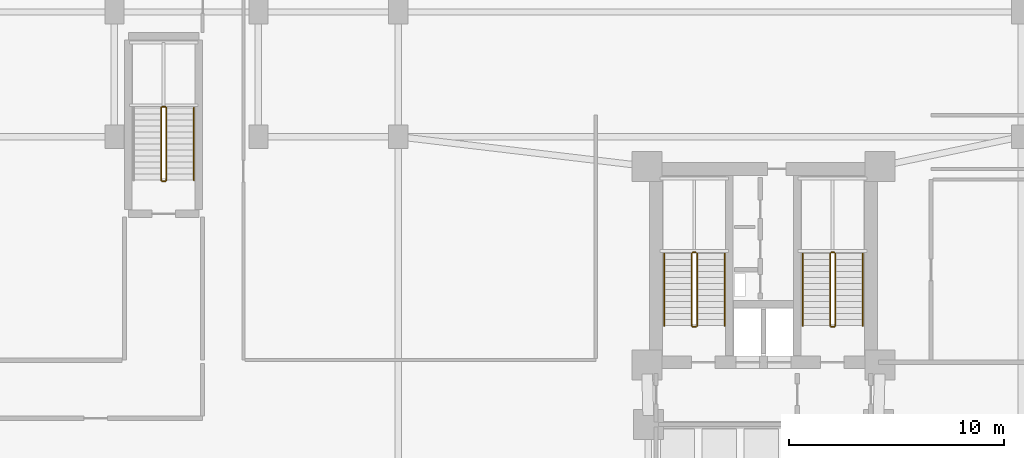
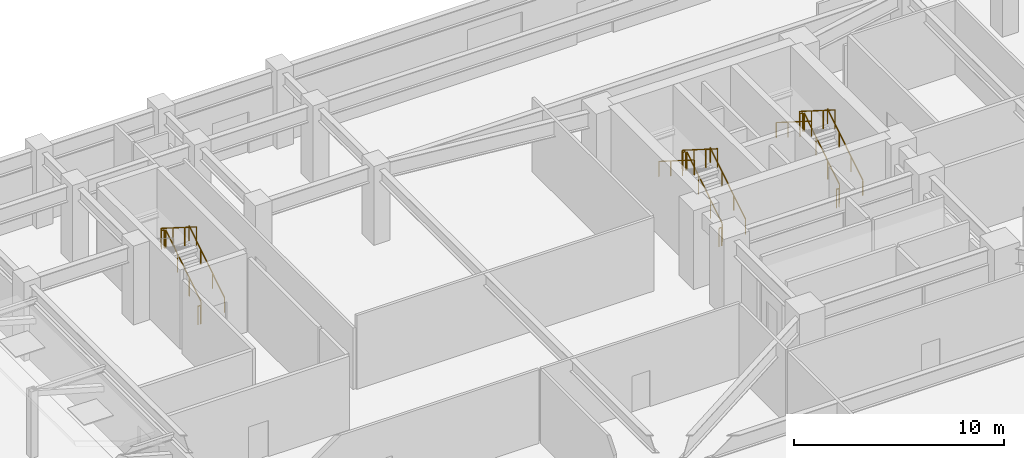
# One storey, part 21 of 23: 17 railings.
"""IFC4 building model written with IfcOpenShell, lengths in metres."""

import ifcopenshell
import ifcopenshell.guid

model = None  # the IFC model being written
_history = None  # IfcOwnerHistory: only IFC2X3 demands one
_inside = {}  # id of a spatial element -> (the spatial element, [elements in it])
_under = {}  # id of a project, library or spatial element -> (it, [spatial elements below it])
_declared = {}  # id of a project -> (the project, [libraries it declares])
_typed = {}  # id of a type object -> (the type object, [elements of that type])
_made_of = {}  # id of a material, layer set ... -> (it, [elements and type objects made of it])


def new_model(schema):
    """Start an empty IFC model of exactly this schema.

    Asked for "IFC4X3", IfcOpenShell would pick the latest addendum, in which some entities
    have other attributes; the version numbers below select the first issue.
    IFC2X3 requires an IfcOwnerHistory on every rooted entity: one is made here for all.
    """
    global model, _history
    if schema == "IFC4X3":
        model = ifcopenshell.file(schema_version=(4, 3, 0, 0))
    else:
        model = ifcopenshell.file(schema=schema)
    _inside.clear()
    _under.clear()
    _declared.clear()
    _typed.clear()
    _made_of.clear()
    _history = None
    if model.schema == "IFC2X3":
        org = make("IfcOrganization", Name="unknown")
        user = make(
            "IfcPersonAndOrganization",
            ThePerson=make("IfcPerson", FamilyName="unknown"),
            TheOrganization=org,
        )
        app = make(
            "IfcApplication",
            ApplicationDeveloper=org,
            Version="unknown",
            ApplicationFullName="unknown",
            ApplicationIdentifier="unknown",
        )
        _history = make(
            "IfcOwnerHistory",
            OwningUser=user,
            OwningApplication=app,
            ChangeAction="ADDED",
            CreationDate=0,
        )
    return model


def make(cls, **values):
    """One entity of the class cls with the attributes given. An attribute that is None is left unset."""
    return model.create_entity(
        cls, **{name: value for name, value in values.items() if value is not None}
    )


def rooted(cls, **values):
    """An entity with a GlobalId (a new one), such as an element, a storey or a relation."""
    return make(cls, GlobalId=ifcopenshell.guid.new(), OwnerHistory=_history, **values)


def si_unit(unit_type, name, prefix=None):
    """IfcSIUnit, for example si_unit("LENGTHUNIT", "METRE", prefix="MILLI")."""
    return make("IfcSIUnit", UnitType=unit_type, Prefix=prefix, Name=name)


def assignment(units):
    """IfcUnitAssignment: the units of a project."""
    return None if units is None else make("IfcUnitAssignment", Units=units)


def point(xyz):
    """IfcCartesianPoint."""
    return None if xyz is None else make("IfcCartesianPoint", Coordinates=xyz)


def direction(xyz):
    """IfcDirection."""
    return None if xyz is None else make("IfcDirection", DirectionRatios=xyz)


def frame(location, z_axis=None, x_axis=None):
    """IfcAxis2Placement3D, a coordinate frame: its origin and axes. An axis left out is left unset."""
    return make(
        "IfcAxis2Placement3D",
        Location=point(location),
        Axis=direction(z_axis),
        RefDirection=direction(x_axis),
    )


def frame_2d(location, x_axis=None):
    """IfcAxis2Placement2D, a coordinate frame in the plane: its origin and x axis."""
    return make(
        "IfcAxis2Placement2D", Location=point(location), RefDirection=direction(x_axis)
    )


def origin():
    """The frame at (0, 0, 0) with its axes left unset."""
    return frame((0.0, 0.0, 0.0))


def origin_2d():
    """The frame at (0, 0) in the plane with its x axis left unset."""
    return frame_2d((0.0, 0.0))


def place(relative_to, where):
    """IfcLocalPlacement: puts the frame where relative to a parent placement (None: the world)."""
    return make(
        "IfcLocalPlacement", PlacementRelTo=relative_to, RelativePlacement=where
    )


def context(
    kind, dimensions, precision=None, world=None, true_north=None, identifier=None
):
    """IfcGeometricRepresentationContext, for example the 3D "Model" context."""
    return make(
        "IfcGeometricRepresentationContext",
        ContextIdentifier=identifier,
        ContextType=kind,
        CoordinateSpaceDimension=dimensions,
        Precision=precision,
        WorldCoordinateSystem=world,
        TrueNorth=true_north,
    )


def subcontext(parent, identifier, kind, view, scale=None):
    """IfcGeometricRepresentationSubContext, for example "Body" below "Model"."""
    return make(
        "IfcGeometricRepresentationSubContext",
        ContextIdentifier=identifier,
        ContextType=kind,
        ParentContext=parent,
        TargetScale=scale,
        TargetView=view,
    )


def project(units=None, contexts=None):
    """IfcProject with its units and contexts."""
    return rooted(
        "IfcProject",
        Name="project",
        RepresentationContexts=contexts,
        UnitsInContext=assignment(units),
    )


def spatial(cls, under=None, at=None, **own):
    """A site, building, storey or space (cls), placed at a placement, below another one or the project."""
    s = rooted(cls, ObjectPlacement=at, **own)
    if under is not None:
        _under.setdefault(under.id(), (under, []))[1].append(s)
    return s


def profile(cls, at=None, kind="AREA", **sizes):
    """A parametric profile (cls). Its sizes go by their IFC names, for example OverallWidth=200.0."""
    return make(cls, ProfileType=kind, Position=at, **sizes)


def rectangle(**sizes):
    """IfcRectangleProfileDef."""
    return profile("IfcRectangleProfileDef", **sizes)


def extrude(swept, where, along, depth):
    """IfcExtrudedAreaSolid: the profile swept, set in the frame where, extruded along a direction by depth."""
    return make(
        "IfcExtrudedAreaSolid",
        SweptArea=swept,
        Position=where,
        ExtrudedDirection=direction(along),
        Depth=depth,
    )


def shape(context_of_items, identifier, shape_type, items):
    """IfcShapeRepresentation: the items that make up one representation, for example the "Body"."""
    return make(
        "IfcShapeRepresentation",
        ContextOfItems=context_of_items,
        RepresentationIdentifier=identifier,
        RepresentationType=shape_type,
        Items=items,
    )


def material(Name=None, Category=None):
    """IfcMaterial."""
    return make("IfcMaterial", Name=Name, Category=Category)


def made_of(thing, what):
    """Note that an element or type object is made of a material, layer set ...; save() writes the relation."""
    if what is not None:
        _made_of.setdefault(what.id(), (what, []))[1].append(thing)
    return thing


def type_object(cls, material=None, **own):
    """A type object (cls), such as IfcWallType, which elements share."""
    return made_of(rooted(cls, **own), material)


def element(
    cls,
    number,
    at=None,
    inside=None,
    cuts=None,
    type_object=None,
    material=None,
    context=None,
    identifier="Body",
    shape_type=None,
    held_by="IfcProductDefinitionShape",
    body=None,
    shapes=None,
    **own,
):
    """One element of the class cls, such as IfcWall. Its Tag is "e" and its number.

    at: its placement. inside: the storey or other place that contains it. cuts: it is an
    opening in that element (IfcRelVoidsElement). A single representation is given by context,
    identifier, shape_type and body (its items); several are given by shapes. held_by: the class
    of the entity that holds the representations. save() writes the other relations.
    """
    e = rooted(cls, Tag="e%d" % number, ObjectPlacement=at, **own)
    if body is not None:
        shapes = [shape(context, identifier, shape_type, body)]
    if shapes is not None:
        e.Representation = make(held_by, Representations=shapes)
    if inside is not None:
        _inside.setdefault(inside.id(), (inside, []))[1].append(e)
    if cuts is not None:
        rooted(
            "IfcRelVoidsElement", RelatingBuildingElement=cuts, RelatedOpeningElement=e
        )
    if type_object is not None:
        _typed.setdefault(type_object.id(), (type_object, []))[1].append(e)
    return made_of(e, material)


def aggregate(whole, parts):
    """IfcRelAggregates: a whole, such as a stair, and the parts it consists of."""
    return rooted("IfcRelAggregates", RelatingObject=whole, RelatedObjects=parts)


def save(model, path):
    """Write the relations noted so far, then the file.

    IfcRelAggregates (storeys below a building ...), IfcRelContainedInSpatialStructure (elements
    in a storey), IfcRelDefinesByType, IfcRelAssociatesMaterial and IfcRelDeclares: one each for
    every whole, place, type object, material and project.
    """
    for whole, parts in _under.values():
        aggregate(whole, parts)
    for where, things in _inside.values():
        rooted(
            "IfcRelContainedInSpatialStructure",
            RelatedElements=things,
            RelatingStructure=where,
        )
    for kind, things in _typed.values():
        rooted("IfcRelDefinesByType", RelatedObjects=things, RelatingType=kind)
    for what, things in _made_of.values():
        rooted("IfcRelAssociatesMaterial", RelatedObjects=things, RelatingMaterial=what)
    for by, libraries in _declared.values():
        rooted("IfcRelDeclares", RelatingContext=by, RelatedDefinitions=libraries)
    model.write(path)


model = new_model("IFC4")

# Units and contexts
model_context = context("Model", 3, precision=1e-05, world=origin(), true_north=direction((0.0, 1.0)))
body_context = subcontext(model_context, "Body", "Model", "MODEL_VIEW")
ifc_project = project(units=[si_unit("LENGTHUNIT", "METRE"), si_unit("AREAUNIT", "SQUARE_METRE"), si_unit("VOLUMEUNIT", "CUBIC_METRE"), si_unit("PLANEANGLEUNIT", "RADIAN"), si_unit("MASSUNIT", "GRAM", prefix="KILO")], contexts=[model_context])

# Site, building, storey
site_placement = place(None, origin())
site = spatial("IfcSite", under=ifc_project, at=site_placement, CompositionType="ELEMENT")
building_placement = place(site_placement, origin())
building = spatial("IfcBuilding", under=site, at=building_placement, Name="Varnakorn Sky Granary", CompositionType="ELEMENT")
storey_placement = place(building_placement, origin())
storey = spatial("IfcBuildingStorey", under=building, at=storey_placement, Name="L00", CompositionType="ELEMENT", Elevation=0.0)

# Railings
ifc_material = material(Name="Brushed Stainless Steel 316", Category="steel")
railing_type_1 = type_object("IfcRailingType", Name="RL-STAIR-1100", PredefinedType="GUARDRAIL", material=ifc_material)
railing_1_placement = place(storey_placement, frame((-0.090087890625, 5.199951171875, 0.177001953125)))
element("IfcRailing", 1, at=railing_1_placement, inside=storey, type_object=railing_type_1, Name="L00 ST-1 stair guard 1", PredefinedType="GUARDRAIL", context=body_context, shape_type="SweptSolid", body=[
    extrude(rectangle(XDim=0.048095703125, YDim=0.048095703125, at=origin_2d()), frame((0.0, 0.0, 1.076171875), z_axis=(0.0, 0.845389635667, 0.534150132366), x_axis=(-1.0, 0.0, 0.0)), (0.0, 0.0, 1.0), 3.974609375),
    extrude(rectangle(XDim=0.0419921875, YDim=0.0419921875, at=origin_2d()), origin(), (0.0, 0.0, 1.0), 1.048095703125),
    extrude(rectangle(XDim=0.0419921875, YDim=0.0419921875, at=origin_2d()), frame((0.0, 1.1201171875, 0.707763671875)), (0.0, 0.0, 1.0), 1.048095703125),
    extrude(rectangle(XDim=0.0419921875, YDim=0.0419921875, at=origin_2d()), frame((0.0, 2.239990234375, 1.415283203125)), (0.0, 0.0, 1.0), 1.048095703125),
    extrude(rectangle(XDim=0.0419921875, YDim=0.0419921875, at=origin_2d()), frame((0.0, 3.360107421875, 2.123046875)), (0.0, 0.0, 1.0), 1.048095703125),
])
railing_2_placement = place(storey_placement, frame((-0.139892578125, 8.610107421875, 2.300048828125)))
element("IfcRailing", 2, at=railing_2_placement, inside=storey, type_object=railing_type_1, Name="L00 ST-1 stair guard 2", PredefinedType="GUARDRAIL", context=body_context, shape_type="SweptSolid", body=[
    extrude(rectangle(XDim=0.048095703125, YDim=0.048095703125, at=origin_2d()), frame((0.0, 0.0, 1.076171875), z_axis=(-1.0, 0.0, 0.0), x_axis=(0.0, -1.0, 0.0)), (0.0, 0.0, 1.0), 0.150146484375),
    extrude(rectangle(XDim=0.0419921875, YDim=0.0419921875, at=origin_2d()), origin(), (0.0, 0.0, 1.0), 1.048095703125),
    extrude(rectangle(XDim=0.0419921875, YDim=0.0419921875, at=origin_2d()), frame((-0.150146484375, 0.0, 0.0)), (0.0, 0.0, 1.0), 1.048095703125),
])
railing_3_placement = place(storey_placement, frame((-0.340087890625, 8.56005859375, 2.476806640625)))
element("IfcRailing", 3, at=railing_3_placement, inside=storey, type_object=railing_type_1, Name="L00 ST-1 stair guard 3", PredefinedType="GUARDRAIL", context=body_context, shape_type="SweptSolid", body=[
    extrude(rectangle(XDim=0.048095703125, YDim=0.048095703125, at=origin_2d()), frame((0.0, 0.0, 1.076171875), z_axis=(0.0, -0.845361898145, 0.534194029511), x_axis=(1.0, 0.0, 0.0)), (0.0, 0.0, 1.0), 3.974853515625),
    extrude(rectangle(XDim=0.0419921875, YDim=0.0419921875, at=origin_2d()), origin(), (0.0, 0.0, 1.0), 1.048095703125),
    extrude(rectangle(XDim=0.0419921875, YDim=0.0419921875, at=origin_2d()), frame((0.0, -1.1201171875, 0.707763671875)), (0.0, 0.0, 1.0), 1.048095703125),
    extrude(rectangle(XDim=0.0419921875, YDim=0.0419921875, at=origin_2d()), frame((0.0, -2.239990234375, 1.41552734375)), (0.0, 0.0, 1.0), 1.048095703125),
    extrude(rectangle(XDim=0.0419921875, YDim=0.0419921875, at=origin_2d()), frame((0.0, -3.360107421875, 2.123291015625)), (0.0, 0.0, 1.0), 1.048095703125),
])
railing_4_placement = place(storey_placement, frame((-0.139892578125, 5.14990234375, 0.0)))
element("IfcRailing", 4, at=railing_4_placement, inside=storey, type_object=railing_type_1, Name="L00 ST-1 stair guard 4", PredefinedType="GUARDRAIL", context=body_context, shape_type="SweptSolid", body=[
    extrude(rectangle(XDim=0.048095703125, YDim=0.048095703125, at=origin_2d()), frame((0.0, 0.0, 1.076171875), z_axis=(-1.0, 0.0, 0.0), x_axis=(0.0, -1.0, 0.0)), (0.0, 0.0, 1.0), 0.150146484375),
    extrude(rectangle(XDim=0.0419921875, YDim=0.0419921875, at=origin_2d()), origin(), (0.0, 0.0, 1.0), 1.048095703125),
    extrude(rectangle(XDim=0.0419921875, YDim=0.0419921875, at=origin_2d()), frame((-0.150146484375, 0.0, 0.0)), (0.0, 0.0, 1.0), 1.048095703125),
])
railing_5_placement = place(storey_placement, frame((6.35009765625, 5.199951171875, 0.177001953125)))
element("IfcRailing", 5, at=railing_5_placement, inside=storey, type_object=railing_type_1, Name="L00 ST-2 stair guard 1", PredefinedType="GUARDRAIL", context=body_context, shape_type="SweptSolid", body=[
    extrude(rectangle(XDim=0.048095703125, YDim=0.048095703125, at=origin_2d()), frame((0.0, 0.0, 1.076171875), z_axis=(0.0, 0.845389635667, 0.534150132366), x_axis=(-1.0, 0.0, 0.0)), (0.0, 0.0, 1.0), 3.974609375),
    extrude(rectangle(XDim=0.0419921875, YDim=0.0419921875, at=origin_2d()), origin(), (0.0, 0.0, 1.0), 1.048095703125),
    extrude(rectangle(XDim=0.0419921875, YDim=0.0419921875, at=origin_2d()), frame((0.0, 1.1201171875, 0.707763671875)), (0.0, 0.0, 1.0), 1.048095703125),
    extrude(rectangle(XDim=0.0419921875, YDim=0.0419921875, at=origin_2d()), frame((0.0, 2.239990234375, 1.415283203125)), (0.0, 0.0, 1.0), 1.048095703125),
    extrude(rectangle(XDim=0.0419921875, YDim=0.0419921875, at=origin_2d()), frame((0.0, 3.360107421875, 2.123046875)), (0.0, 0.0, 1.0), 1.048095703125),
])
railing_6_placement = place(storey_placement, frame((6.300048828125, 8.610107421875, 2.300048828125)))
element("IfcRailing", 6, at=railing_6_placement, inside=storey, type_object=railing_type_1, Name="L00 ST-2 stair guard 2", PredefinedType="GUARDRAIL", context=body_context, shape_type="SweptSolid", body=[
    extrude(rectangle(XDim=0.048095703125, YDim=0.048095703125, at=origin_2d()), frame((0.0, 0.0, 1.076171875), z_axis=(-1.0, 0.0, 0.0), x_axis=(0.0, -1.0, 0.0)), (0.0, 0.0, 1.0), 0.150146484375),
    extrude(rectangle(XDim=0.0419921875, YDim=0.0419921875, at=origin_2d()), origin(), (0.0, 0.0, 1.0), 1.048095703125),
    extrude(rectangle(XDim=0.0419921875, YDim=0.0419921875, at=origin_2d()), frame((-0.150146484375, 0.0, 0.0)), (0.0, 0.0, 1.0), 1.048095703125),
])
railing_7_placement = place(storey_placement, frame((6.10009765625, 8.56005859375, 2.476806640625)))
element("IfcRailing", 7, at=railing_7_placement, inside=storey, type_object=railing_type_1, Name="L00 ST-2 stair guard 3", PredefinedType="GUARDRAIL", context=body_context, shape_type="SweptSolid", body=[
    extrude(rectangle(XDim=0.048095703125, YDim=0.048095703125, at=origin_2d()), frame((0.0, 0.0, 1.076171875), z_axis=(0.0, -0.845361898145, 0.534194029511), x_axis=(1.0, 0.0, 0.0)), (0.0, 0.0, 1.0), 3.974853515625),
    extrude(rectangle(XDim=0.0419921875, YDim=0.0419921875, at=origin_2d()), origin(), (0.0, 0.0, 1.0), 1.048095703125),
    extrude(rectangle(XDim=0.0419921875, YDim=0.0419921875, at=origin_2d()), frame((0.0, -1.1201171875, 0.707763671875)), (0.0, 0.0, 1.0), 1.048095703125),
    extrude(rectangle(XDim=0.0419921875, YDim=0.0419921875, at=origin_2d()), frame((0.0, -2.239990234375, 1.41552734375)), (0.0, 0.0, 1.0), 1.048095703125),
    extrude(rectangle(XDim=0.0419921875, YDim=0.0419921875, at=origin_2d()), frame((0.0, -3.360107421875, 2.123291015625)), (0.0, 0.0, 1.0), 1.048095703125),
])
railing_8_placement = place(storey_placement, frame((6.300048828125, 5.14990234375, 0.0)))
element("IfcRailing", 8, at=railing_8_placement, inside=storey, type_object=railing_type_1, Name="L00 ST-2 stair guard 4", PredefinedType="GUARDRAIL", context=body_context, shape_type="SweptSolid", body=[
    extrude(rectangle(XDim=0.048095703125, YDim=0.048095703125, at=origin_2d()), frame((0.0, 0.0, 1.076171875), z_axis=(-1.0, 0.0, 0.0), x_axis=(0.0, -1.0, 0.0)), (0.0, 0.0, 1.0), 0.150146484375),
    extrude(rectangle(XDim=0.0419921875, YDim=0.0419921875, at=origin_2d()), origin(), (0.0, 0.0, 1.0), 1.048095703125),
    extrude(rectangle(XDim=0.0419921875, YDim=0.0419921875, at=origin_2d()), frame((-0.150146484375, 0.0, 0.0)), (0.0, 0.0, 1.0), 1.048095703125),
])
railing_9_placement = place(storey_placement, frame((-24.780029296875, 11.97998046875, 0.177001953125)))
element("IfcRailing", 9, at=railing_9_placement, inside=storey, type_object=railing_type_1, Name="L00 ST-B3 stair guard 1", PredefinedType="GUARDRAIL", context=body_context, shape_type="SweptSolid", body=[
    extrude(rectangle(XDim=0.048095703125, YDim=0.048095703125, at=origin_2d()), frame((0.0, 0.0, 1.076171875), z_axis=(0.0, 0.845389635667, 0.534150132366), x_axis=(-1.0, 0.0, 0.0)), (0.0, 0.0, 1.0), 3.974609375),
    extrude(rectangle(XDim=0.0419921875, YDim=0.0419921875, at=origin_2d()), origin(), (0.0, 0.0, 1.0), 1.048095703125),
    extrude(rectangle(XDim=0.0419921875, YDim=0.0419921875, at=origin_2d()), frame((0.0, 1.1201171875, 0.707763671875)), (0.0, 0.0, 1.0), 1.048095703125),
    extrude(rectangle(XDim=0.0419921875, YDim=0.0419921875, at=origin_2d()), frame((0.0, 2.239990234375, 1.415283203125)), (0.0, 0.0, 1.0), 1.048095703125),
    extrude(rectangle(XDim=0.0419921875, YDim=0.0419921875, at=origin_2d()), frame((0.0, 3.360107421875, 2.123046875)), (0.0, 0.0, 1.0), 1.048095703125),
])
railing_10_placement = place(storey_placement, frame((-24.830078125, 15.389892578125, 2.300048828125)))
element("IfcRailing", 10, at=railing_10_placement, inside=storey, type_object=railing_type_1, Name="L00 ST-B3 stair guard 2", PredefinedType="GUARDRAIL", context=body_context, shape_type="SweptSolid", body=[
    extrude(rectangle(XDim=0.048095703125, YDim=0.048095703125, at=origin_2d()), frame((0.0, 0.0, 1.076171875), z_axis=(-1.0, 0.0, 0.0), x_axis=(0.0, -1.0, 0.0)), (0.0, 0.0, 1.0), 0.14990234375),
    extrude(rectangle(XDim=0.0419921875, YDim=0.0419921875, at=origin_2d()), origin(), (0.0, 0.0, 1.0), 1.048095703125),
    extrude(rectangle(XDim=0.0419921875, YDim=0.0419921875, at=origin_2d()), frame((-0.14990234375, 0.0, 0.0)), (0.0, 0.0, 1.0), 1.048095703125),
])
railing_11_placement = place(storey_placement, frame((-25.030029296875, 15.340087890625, 2.476806640625)))
element("IfcRailing", 11, at=railing_11_placement, inside=storey, type_object=railing_type_1, Name="L00 ST-B3 stair guard 3", PredefinedType="GUARDRAIL", context=body_context, shape_type="SweptSolid", body=[
    extrude(rectangle(XDim=0.048095703125, YDim=0.048095703125, at=origin_2d()), frame((0.0, 0.0, 1.076171875), z_axis=(0.0, -0.845361898145, 0.534194029511), x_axis=(1.0, 0.0, 0.0)), (0.0, 0.0, 1.0), 3.974853515625),
    extrude(rectangle(XDim=0.0419921875, YDim=0.0419921875, at=origin_2d()), origin(), (0.0, 0.0, 1.0), 1.048095703125),
    extrude(rectangle(XDim=0.0419921875, YDim=0.0419921875, at=origin_2d()), frame((0.0, -1.1201171875, 0.707763671875)), (0.0, 0.0, 1.0), 1.048095703125),
    extrude(rectangle(XDim=0.0419921875, YDim=0.0419921875, at=origin_2d()), frame((0.0, -2.239990234375, 1.41552734375)), (0.0, 0.0, 1.0), 1.048095703125),
    extrude(rectangle(XDim=0.0419921875, YDim=0.0419921875, at=origin_2d()), frame((0.0, -3.360107421875, 2.123291015625)), (0.0, 0.0, 1.0), 1.048095703125),
])
railing_12_placement = place(storey_placement, frame((-24.830078125, 11.929931640625, 0.0)))
element("IfcRailing", 12, at=railing_12_placement, inside=storey, type_object=railing_type_1, Name="L00 ST-B3 stair guard 4", PredefinedType="GUARDRAIL", context=body_context, shape_type="SweptSolid", body=[
    extrude(rectangle(XDim=0.048095703125, YDim=0.048095703125, at=origin_2d()), frame((0.0, 0.0, 1.076171875), z_axis=(-1.0, 0.0, 0.0), x_axis=(0.0, -1.0, 0.0)), (0.0, 0.0, 1.0), 0.14990234375),
    extrude(rectangle(XDim=0.0419921875, YDim=0.0419921875, at=origin_2d()), origin(), (0.0, 0.0, 1.0), 1.048095703125),
    extrude(rectangle(XDim=0.0419921875, YDim=0.0419921875, at=origin_2d()), frame((-0.14990234375, 0.0, 0.0)), (0.0, 0.0, 1.0), 1.048095703125),
])
railing_type_2 = type_object("IfcRailingType", Name="RL-STAIR-920", PredefinedType="HANDRAIL", material=ifc_material)
railing_13_placement = place(storey_placement, frame((1.18994140625, 5.199951171875, 0.177001953125)))
element("IfcRailing", 13, at=railing_13_placement, inside=storey, type_object=railing_type_2, Name="L00 ST-1 stair handrail 1", PredefinedType="HANDRAIL", context=body_context, shape_type="SweptSolid", body=[
    extrude(rectangle(XDim=0.048095703125, YDim=0.048095703125, at=origin_2d()), frame((0.0, 0.0, 0.8759765625), z_axis=(0.0, 0.845389635667, 0.534150132366), x_axis=(-1.0, 0.0, 0.0)), (0.0, 0.0, 1.0), 3.974609375),
    extrude(rectangle(XDim=0.0419921875, YDim=0.0419921875, at=origin_2d()), origin(), (0.0, 0.0, 1.0), 0.847900390625),
    extrude(rectangle(XDim=0.0419921875, YDim=0.0419921875, at=origin_2d()), frame((0.0, 1.1201171875, 0.707763671875)), (0.0, 0.0, 1.0), 0.847900390625),
    extrude(rectangle(XDim=0.0419921875, YDim=0.0419921875, at=origin_2d()), frame((0.0, 2.239990234375, 1.415283203125)), (0.0, 0.0, 1.0), 0.847900390625),
    extrude(rectangle(XDim=0.0419921875, YDim=0.0419921875, at=origin_2d()), frame((0.0, 3.360107421875, 2.123046875)), (0.0, 0.0, 1.0), 0.847900390625),
])
railing_14_placement = place(storey_placement, frame((-1.6201171875, 8.56005859375, 2.476806640625)))
element("IfcRailing", 14, at=railing_14_placement, inside=storey, type_object=railing_type_2, Name="L00 ST-1 stair handrail 2", PredefinedType="HANDRAIL", context=body_context, shape_type="SweptSolid", body=[
    extrude(rectangle(XDim=0.048095703125, YDim=0.048095703125, at=origin_2d()), frame((0.0, 0.0, 0.8759765625), z_axis=(0.0, -0.845361898145, 0.534194029511), x_axis=(1.0, 0.0, 0.0)), (0.0, 0.0, 1.0), 3.974853515625),
    extrude(rectangle(XDim=0.0419921875, YDim=0.0419921875, at=origin_2d()), origin(), (0.0, 0.0, 1.0), 0.847900390625),
    extrude(rectangle(XDim=0.0419921875, YDim=0.0419921875, at=origin_2d()), frame((0.0, -1.1201171875, 0.707763671875)), (0.0, 0.0, 1.0), 0.847900390625),
    extrude(rectangle(XDim=0.0419921875, YDim=0.0419921875, at=origin_2d()), frame((0.0, -2.239990234375, 1.41552734375)), (0.0, 0.0, 1.0), 0.847900390625),
    extrude(rectangle(XDim=0.0419921875, YDim=0.0419921875, at=origin_2d()), frame((0.0, -3.360107421875, 2.123291015625)), (0.0, 0.0, 1.0), 0.847900390625),
])
railing_15_placement = place(storey_placement, frame((7.6298828125, 5.199951171875, 0.177001953125)))
element("IfcRailing", 15, at=railing_15_placement, inside=storey, type_object=railing_type_2, Name="L00 ST-2 stair handrail 1", PredefinedType="HANDRAIL", context=body_context, shape_type="SweptSolid", body=[
    extrude(rectangle(XDim=0.048095703125, YDim=0.048095703125, at=origin_2d()), frame((0.0, 0.0, 0.8759765625), z_axis=(0.0, 0.845389635667, 0.534150132366), x_axis=(-1.0, 0.0, 0.0)), (0.0, 0.0, 1.0), 3.974609375),
    extrude(rectangle(XDim=0.0419921875, YDim=0.0419921875, at=origin_2d()), origin(), (0.0, 0.0, 1.0), 0.847900390625),
    extrude(rectangle(XDim=0.0419921875, YDim=0.0419921875, at=origin_2d()), frame((0.0, 1.1201171875, 0.707763671875)), (0.0, 0.0, 1.0), 0.847900390625),
    extrude(rectangle(XDim=0.0419921875, YDim=0.0419921875, at=origin_2d()), frame((0.0, 2.239990234375, 1.415283203125)), (0.0, 0.0, 1.0), 0.847900390625),
    extrude(rectangle(XDim=0.0419921875, YDim=0.0419921875, at=origin_2d()), frame((0.0, 3.360107421875, 2.123046875)), (0.0, 0.0, 1.0), 0.847900390625),
])
railing_16_placement = place(storey_placement, frame((4.820068359375, 8.56005859375, 2.476806640625)))
element("IfcRailing", 16, at=railing_16_placement, inside=storey, type_object=railing_type_2, Name="L00 ST-2 stair handrail 2", PredefinedType="HANDRAIL", context=body_context, shape_type="SweptSolid", body=[
    extrude(rectangle(XDim=0.048095703125, YDim=0.048095703125, at=origin_2d()), frame((0.0, 0.0, 0.8759765625), z_axis=(0.0, -0.845361898145, 0.534194029511), x_axis=(1.0, 0.0, 0.0)), (0.0, 0.0, 1.0), 3.974853515625),
    extrude(rectangle(XDim=0.0419921875, YDim=0.0419921875, at=origin_2d()), origin(), (0.0, 0.0, 1.0), 0.847900390625),
    extrude(rectangle(XDim=0.0419921875, YDim=0.0419921875, at=origin_2d()), frame((0.0, -1.1201171875, 0.707763671875)), (0.0, 0.0, 1.0), 0.847900390625),
    extrude(rectangle(XDim=0.0419921875, YDim=0.0419921875, at=origin_2d()), frame((0.0, -2.239990234375, 1.41552734375)), (0.0, 0.0, 1.0), 0.847900390625),
    extrude(rectangle(XDim=0.0419921875, YDim=0.0419921875, at=origin_2d()), frame((0.0, -3.360107421875, 2.123291015625)), (0.0, 0.0, 1.0), 0.847900390625),
])
railing_17_placement = place(storey_placement, frame((-23.5, 11.97998046875, 0.177001953125)))
element("IfcRailing", 17, at=railing_17_placement, inside=storey, type_object=railing_type_2, Name="L00 ST-B3 stair handrail 1", PredefinedType="HANDRAIL", context=body_context, shape_type="SweptSolid", body=[
    extrude(rectangle(XDim=0.048095703125, YDim=0.048095703125, at=origin_2d()), frame((0.0, 0.0, 0.8759765625), z_axis=(0.0, 0.845389635667, 0.534150132366), x_axis=(-1.0, 0.0, 0.0)), (0.0, 0.0, 1.0), 3.974609375),
    extrude(rectangle(XDim=0.0419921875, YDim=0.0419921875, at=origin_2d()), origin(), (0.0, 0.0, 1.0), 0.847900390625),
    extrude(rectangle(XDim=0.0419921875, YDim=0.0419921875, at=origin_2d()), frame((0.0, 1.1201171875, 0.707763671875)), (0.0, 0.0, 1.0), 0.847900390625),
    extrude(rectangle(XDim=0.0419921875, YDim=0.0419921875, at=origin_2d()), frame((0.0, 2.239990234375, 1.415283203125)), (0.0, 0.0, 1.0), 0.847900390625),
    extrude(rectangle(XDim=0.0419921875, YDim=0.0419921875, at=origin_2d()), frame((0.0, 3.360107421875, 2.123046875)), (0.0, 0.0, 1.0), 0.847900390625),
])

save(model, "model.ifc")
